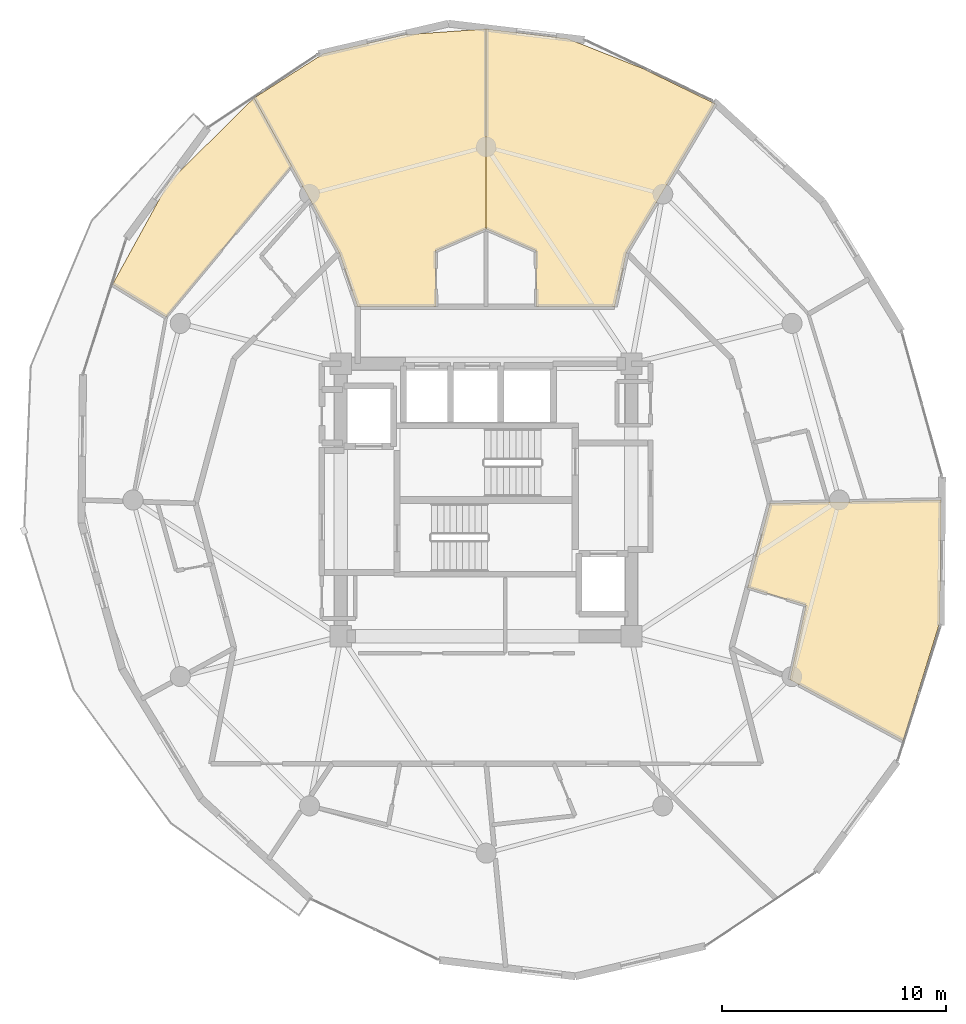
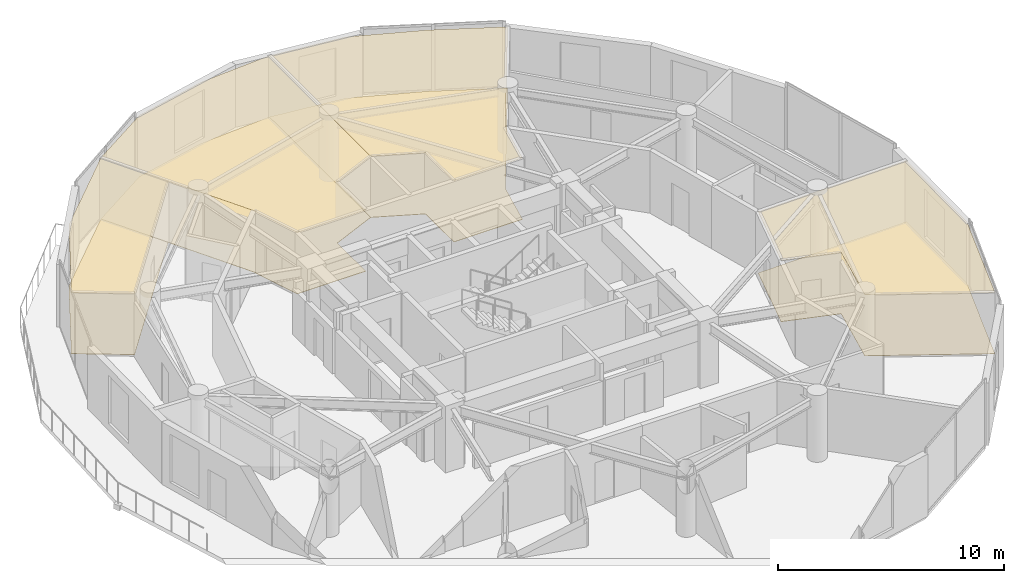
# One storey, part 20 of 20: 8 coverings.
"""IFC4 building model written with IfcOpenShell, lengths in metres."""

from ifc_helpers import new_model, si_unit, direction, frame, origin, place, context, subcontext, project, spatial, polyline, outline, extrude, material, layer, layer_set, type_object, element, save


model = new_model("IFC4")

# Units and contexts
model_context = context("Model", 3, precision=1e-05, world=origin(), true_north=direction((0.0, 1.0)))
body_context = subcontext(model_context, "Body", "Model", "MODEL_VIEW")
ifc_project = project(units=[si_unit("LENGTHUNIT", "METRE"), si_unit("AREAUNIT", "SQUARE_METRE"), si_unit("VOLUMEUNIT", "CUBIC_METRE"), si_unit("PLANEANGLEUNIT", "RADIAN"), si_unit("MASSUNIT", "GRAM", prefix="KILO")], contexts=[model_context])

# Site, building, storey
site_placement = place(None, origin())
site = spatial("IfcSite", under=ifc_project, at=site_placement, CompositionType="ELEMENT")
building_placement = place(site_placement, origin())
building = spatial("IfcBuilding", under=site, at=building_placement, Name="Solvirekh Grand Hotel", CompositionType="ELEMENT")
storey_placement = place(building_placement, frame((0.0, 0.0, 209.199951171875)))
storey = spatial("IfcBuildingStorey", under=building, at=storey_placement, Name="L54", CompositionType="ELEMENT", Elevation=209.199951171875)

# Coverings
ifc_material_1 = material(Name="Acoustic Mineral Ceiling Tile")
ifc_layer_1 = layer(ifc_material_1, 0.02490234375)
ifc_layer_set_1 = layer_set([ifc_layer_1], Name="Acoustic Mineral Ceiling Tile")
covering_type_1 = type_object("IfcCoveringType", Name="Cov_Ceiling_Acoustic", PredefinedType="CEILING", material=ifc_layer_set_1)
covering_1_placement = place(storey_placement, frame((0.0, 0.0, 3.31005859375)))
element("IfcCovering", 1, at=covering_1_placement, inside=storey, type_object=covering_type_1, Name="L54 Deluxe Guestroom 5601 acoustic ceiling", PredefinedType="CEILING", context=body_context, shape_type="SweptSolid", body=[
    extrude(outline(polyline([(0.0, 12.1279296875), (2.235107421875, 11.14794921875), (2.25, 8.64990234375), (5.75, 8.64990234375), (6.27490234375, 11.06494140625), (10.235107421875, 17.72802734375), (7.02294921875, 19.294921875), (3.638916015625, 20.636962890625), (0.0, 21.072021484375), (0.0, 12.1279296875)])), origin(), (0.0, 0.0, 1.0), 0.01806640625),
])
covering_2_placement = place(storey_placement, frame((0.0, 0.0, 3.31005859375)))
element("IfcCovering", 2, at=covering_2_placement, inside=storey, type_object=covering_type_1, Name="L54 Panorama Suite 5602 acoustic ceiling", PredefinedType="CEILING", context=body_context, shape_type="SweptSolid", body=[
    extrude(outline(polyline([(-2.25, 8.64990234375), (-2.263916015625, 11.14794921875), (0.0, 12.1279296875), (0.0, 21.072021484375), (-3.6689453125, 20.81005859375), (-7.26806640625, 19.968994140625), (-10.383056640625, 17.98388671875), (-6.574951171875, 11.06494140625), (-5.75, 8.64990234375), (-2.25, 8.64990234375)])), origin(), (0.0, 0.0, 1.0), 0.01806640625),
])
covering_3_placement = place(storey_placement, frame((0.0, 0.0, 3.31005859375)))
element("IfcCovering", 3, at=covering_3_placement, inside=storey, type_object=covering_type_1, Name="L54 Executive Suite 5603 Master Bedroom acoustic ceiling", PredefinedType="CEILING", context=body_context, shape_type="SweptSolid", body=[
    extrude(outline(polyline([(-10.383056640625, 17.98388671875), (-14.2060546875, 14.2060546875), (-16.7099609375, 9.64794921875), (-14.320068359375, 8.18603515625), (-8.70703125, 14.93994140625), (-10.383056640625, 17.98388671875)])), origin(), (0.0, 0.0, 1.0), 0.01806640625),
])
covering_4_placement = place(storey_placement, frame((0.0, 0.0, 3.31005859375)))
element("IfcCovering", 4, at=covering_4_placement, inside=storey, type_object=covering_type_1, Name="L54 Deluxe Guestroom 5605 acoustic ceiling", PredefinedType="CEILING", context=body_context, shape_type="SweptSolid", body=[
    extrude(outline(polyline([(14.306884765625, -4.701904296875), (13.5869140625, -8.033935546875), (18.653076171875, -10.76904296875), (20.301025390625, -5.43994140625), (20.35205078125, 0.0), (12.699951171875, -0.14990234375), (11.700927734375, -3.906005859375), (14.306884765625, -4.701904296875)])), origin(), (0.0, 0.0, 1.0), 0.01806640625),
])
ifc_material_2 = material(Name="Porcelain Stoneware Flooring", Category="masonry")
ifc_layer_2 = layer(ifc_material_2, 0.030029296875)
ifc_layer_set_2 = layer_set([ifc_layer_2], Name="Porcelain Stoneware Flooring")
covering_type_2 = type_object("IfcCoveringType", Name="Cov_Floor_Stone", PredefinedType="FLOORING", material=ifc_layer_set_2)
covering_5_placement = place(storey_placement, origin())
element("IfcCovering", 5, at=covering_5_placement, inside=storey, type_object=covering_type_2, Name="L54 Deluxe Guestroom 5601 polished granite flooring", PredefinedType="FLOORING", context=body_context, shape_type="SweptSolid", body=[
    extrude(outline(polyline([(0.0, 12.1279296875), (2.235107421875, 11.14794921875), (2.25, 8.64990234375), (5.75, 8.64990234375), (6.27490234375, 11.06494140625), (10.235107421875, 17.72802734375), (7.02294921875, 19.294921875), (3.638916015625, 20.636962890625), (0.0, 21.072021484375), (0.0, 12.1279296875)])), origin(), (0.0, 0.0, 1.0), 0.02001953125),
])
covering_6_placement = place(storey_placement, origin())
element("IfcCovering", 6, at=covering_6_placement, inside=storey, type_object=covering_type_2, Name="L54 Panorama Suite 5602 polished granite flooring", PredefinedType="FLOORING", context=body_context, shape_type="SweptSolid", body=[
    extrude(outline(polyline([(-2.25, 8.64990234375), (-2.263916015625, 11.14794921875), (0.0, 12.1279296875), (0.0, 21.072021484375), (-3.6689453125, 20.81005859375), (-7.26806640625, 19.968994140625), (-10.383056640625, 17.98388671875), (-6.574951171875, 11.06494140625), (-5.75, 8.64990234375), (-2.25, 8.64990234375)])), origin(), (0.0, 0.0, 1.0), 0.02001953125),
])
covering_7_placement = place(storey_placement, origin())
element("IfcCovering", 7, at=covering_7_placement, inside=storey, type_object=covering_type_2, Name="L54 Executive Suite 5603 Master Bedroom polished granite flooring", PredefinedType="FLOORING", context=body_context, shape_type="SweptSolid", body=[
    extrude(outline(polyline([(-10.383056640625, 17.98388671875), (-14.2060546875, 14.2060546875), (-16.7099609375, 9.64794921875), (-14.320068359375, 8.18603515625), (-8.70703125, 14.93994140625), (-10.383056640625, 17.98388671875)])), origin(), (0.0, 0.0, 1.0), 0.02001953125),
])
covering_8_placement = place(storey_placement, origin())
element("IfcCovering", 8, at=covering_8_placement, inside=storey, type_object=covering_type_2, Name="L54 Deluxe Guestroom 5605 polished granite flooring", PredefinedType="FLOORING", context=body_context, shape_type="SweptSolid", body=[
    extrude(outline(polyline([(14.306884765625, -4.701904296875), (13.5869140625, -8.033935546875), (18.653076171875, -10.76904296875), (20.301025390625, -5.43994140625), (20.35205078125, 0.0), (12.699951171875, -0.14990234375), (11.700927734375, -3.906005859375), (14.306884765625, -4.701904296875)])), origin(), (0.0, 0.0, 1.0), 0.02001953125),
])

save(model, "model.ifc")
